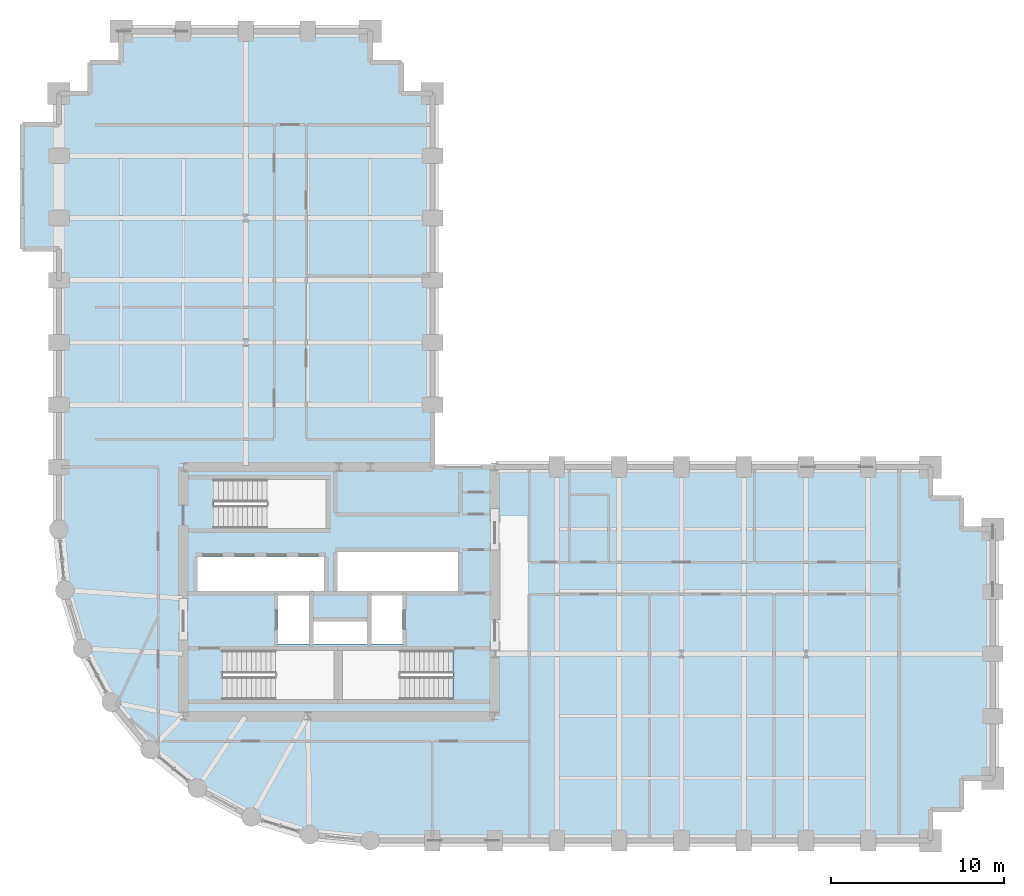
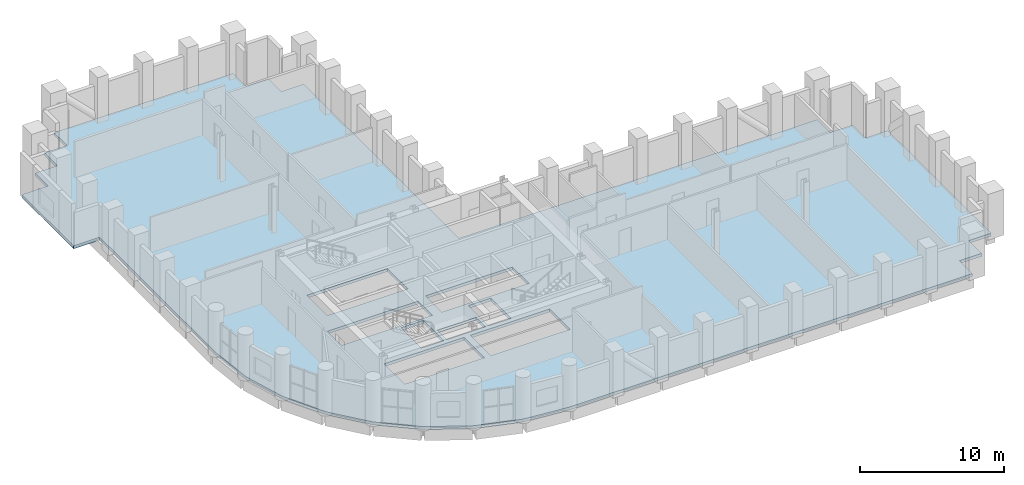
# One storey, part 8 of 13: 1 slab.
"""IFC4 building model written with IfcOpenShell, lengths in metres."""

import ifcopenshell
import ifcopenshell.guid

model = None  # the IFC model being written
_history = None  # IfcOwnerHistory: only IFC2X3 demands one
_inside = {}  # id of a spatial element -> (the spatial element, [elements in it])
_under = {}  # id of a project, library or spatial element -> (it, [spatial elements below it])
_declared = {}  # id of a project -> (the project, [libraries it declares])
_typed = {}  # id of a type object -> (the type object, [elements of that type])
_made_of = {}  # id of a material, layer set ... -> (it, [elements and type objects made of it])


def new_model(schema):
    """Start an empty IFC model of exactly this schema.

    Asked for "IFC4X3", IfcOpenShell would pick the latest addendum, in which some entities
    have other attributes; the version numbers below select the first issue.
    IFC2X3 requires an IfcOwnerHistory on every rooted entity: one is made here for all.
    """
    global model, _history
    if schema == "IFC4X3":
        model = ifcopenshell.file(schema_version=(4, 3, 0, 0))
    else:
        model = ifcopenshell.file(schema=schema)
    _inside.clear()
    _under.clear()
    _declared.clear()
    _typed.clear()
    _made_of.clear()
    _history = None
    if model.schema == "IFC2X3":
        org = make("IfcOrganization", Name="unknown")
        user = make(
            "IfcPersonAndOrganization",
            ThePerson=make("IfcPerson", FamilyName="unknown"),
            TheOrganization=org,
        )
        app = make(
            "IfcApplication",
            ApplicationDeveloper=org,
            Version="unknown",
            ApplicationFullName="unknown",
            ApplicationIdentifier="unknown",
        )
        _history = make(
            "IfcOwnerHistory",
            OwningUser=user,
            OwningApplication=app,
            ChangeAction="ADDED",
            CreationDate=0,
        )
    return model


def make(cls, **values):
    """One entity of the class cls with the attributes given. An attribute that is None is left unset."""
    return model.create_entity(
        cls, **{name: value for name, value in values.items() if value is not None}
    )


def rooted(cls, **values):
    """An entity with a GlobalId (a new one), such as an element, a storey or a relation."""
    return make(cls, GlobalId=ifcopenshell.guid.new(), OwnerHistory=_history, **values)


def si_unit(unit_type, name, prefix=None):
    """IfcSIUnit, for example si_unit("LENGTHUNIT", "METRE", prefix="MILLI")."""
    return make("IfcSIUnit", UnitType=unit_type, Prefix=prefix, Name=name)


def assignment(units):
    """IfcUnitAssignment: the units of a project."""
    return None if units is None else make("IfcUnitAssignment", Units=units)


def point(xyz):
    """IfcCartesianPoint."""
    return None if xyz is None else make("IfcCartesianPoint", Coordinates=xyz)


def direction(xyz):
    """IfcDirection."""
    return None if xyz is None else make("IfcDirection", DirectionRatios=xyz)


def frame(location, z_axis=None, x_axis=None):
    """IfcAxis2Placement3D, a coordinate frame: its origin and axes. An axis left out is left unset."""
    return make(
        "IfcAxis2Placement3D",
        Location=point(location),
        Axis=direction(z_axis),
        RefDirection=direction(x_axis),
    )


def origin():
    """The frame at (0, 0, 0) with its axes left unset."""
    return frame((0.0, 0.0, 0.0))


def place(relative_to, where):
    """IfcLocalPlacement: puts the frame where relative to a parent placement (None: the world)."""
    return make(
        "IfcLocalPlacement", PlacementRelTo=relative_to, RelativePlacement=where
    )


def context(
    kind, dimensions, precision=None, world=None, true_north=None, identifier=None
):
    """IfcGeometricRepresentationContext, for example the 3D "Model" context."""
    return make(
        "IfcGeometricRepresentationContext",
        ContextIdentifier=identifier,
        ContextType=kind,
        CoordinateSpaceDimension=dimensions,
        Precision=precision,
        WorldCoordinateSystem=world,
        TrueNorth=true_north,
    )


def subcontext(parent, identifier, kind, view, scale=None):
    """IfcGeometricRepresentationSubContext, for example "Body" below "Model"."""
    return make(
        "IfcGeometricRepresentationSubContext",
        ContextIdentifier=identifier,
        ContextType=kind,
        ParentContext=parent,
        TargetScale=scale,
        TargetView=view,
    )


def project(units=None, contexts=None):
    """IfcProject with its units and contexts."""
    return rooted(
        "IfcProject",
        Name="project",
        RepresentationContexts=contexts,
        UnitsInContext=assignment(units),
    )


def spatial(cls, under=None, at=None, **own):
    """A site, building, storey or space (cls), placed at a placement, below another one or the project."""
    s = rooted(cls, ObjectPlacement=at, **own)
    if under is not None:
        _under.setdefault(under.id(), (under, []))[1].append(s)
    return s


def polyline(points):
    """IfcPolyline through the points."""
    return make("IfcPolyline", Points=[point(p) for p in points])


def outline(outer, holes=None, kind="AREA"):
    """IfcArbitraryClosedProfileDef: a profile drawn as a closed curve; with holes, ...WithVoids."""
    if holes is None:
        return make("IfcArbitraryClosedProfileDef", ProfileType=kind, OuterCurve=outer)
    return make(
        "IfcArbitraryProfileDefWithVoids",
        ProfileType=kind,
        OuterCurve=outer,
        InnerCurves=holes,
    )


def extrude(swept, where, along, depth):
    """IfcExtrudedAreaSolid: the profile swept, set in the frame where, extruded along a direction by depth."""
    return make(
        "IfcExtrudedAreaSolid",
        SweptArea=swept,
        Position=where,
        ExtrudedDirection=direction(along),
        Depth=depth,
    )


def shape(context_of_items, identifier, shape_type, items):
    """IfcShapeRepresentation: the items that make up one representation, for example the "Body"."""
    return make(
        "IfcShapeRepresentation",
        ContextOfItems=context_of_items,
        RepresentationIdentifier=identifier,
        RepresentationType=shape_type,
        Items=items,
    )


def material(Name=None, Category=None):
    """IfcMaterial."""
    return make("IfcMaterial", Name=Name, Category=Category)


def layer(
    of_material, thickness, ventilated=None, Name=None, Category=None, Priority=None
):
    """IfcMaterialLayer: one layer of a wall or slab, of a material (None: an air gap)."""
    return make(
        "IfcMaterialLayer",
        Material=of_material,
        LayerThickness=thickness,
        IsVentilated=ventilated,
        Name=Name,
        Category=Category,
        Priority=Priority,
    )


def layer_set(layers, Name=None):
    """IfcMaterialLayerSet."""
    return make("IfcMaterialLayerSet", MaterialLayers=layers, LayerSetName=Name)


def made_of(thing, what):
    """Note that an element or type object is made of a material, layer set ...; save() writes the relation."""
    if what is not None:
        _made_of.setdefault(what.id(), (what, []))[1].append(thing)
    return thing


def type_object(cls, material=None, **own):
    """A type object (cls), such as IfcWallType, which elements share."""
    return made_of(rooted(cls, **own), material)


def element(
    cls,
    number,
    at=None,
    inside=None,
    cuts=None,
    type_object=None,
    material=None,
    context=None,
    identifier="Body",
    shape_type=None,
    held_by="IfcProductDefinitionShape",
    body=None,
    shapes=None,
    **own,
):
    """One element of the class cls, such as IfcWall. Its Tag is "e" and its number.

    at: its placement. inside: the storey or other place that contains it. cuts: it is an
    opening in that element (IfcRelVoidsElement). A single representation is given by context,
    identifier, shape_type and body (its items); several are given by shapes. held_by: the class
    of the entity that holds the representations. save() writes the other relations.
    """
    e = rooted(cls, Tag="e%d" % number, ObjectPlacement=at, **own)
    if body is not None:
        shapes = [shape(context, identifier, shape_type, body)]
    if shapes is not None:
        e.Representation = make(held_by, Representations=shapes)
    if inside is not None:
        _inside.setdefault(inside.id(), (inside, []))[1].append(e)
    if cuts is not None:
        rooted(
            "IfcRelVoidsElement", RelatingBuildingElement=cuts, RelatedOpeningElement=e
        )
    if type_object is not None:
        _typed.setdefault(type_object.id(), (type_object, []))[1].append(e)
    return made_of(e, material)


def aggregate(whole, parts):
    """IfcRelAggregates: a whole, such as a stair, and the parts it consists of."""
    return rooted("IfcRelAggregates", RelatingObject=whole, RelatedObjects=parts)


def save(model, path):
    """Write the relations noted so far, then the file.

    IfcRelAggregates (storeys below a building ...), IfcRelContainedInSpatialStructure (elements
    in a storey), IfcRelDefinesByType, IfcRelAssociatesMaterial and IfcRelDeclares: one each for
    every whole, place, type object, material and project.
    """
    for whole, parts in _under.values():
        aggregate(whole, parts)
    for where, things in _inside.values():
        rooted(
            "IfcRelContainedInSpatialStructure",
            RelatedElements=things,
            RelatingStructure=where,
        )
    for kind, things in _typed.values():
        rooted("IfcRelDefinesByType", RelatedObjects=things, RelatingType=kind)
    for what, things in _made_of.values():
        rooted("IfcRelAssociatesMaterial", RelatedObjects=things, RelatingMaterial=what)
    for by, libraries in _declared.values():
        rooted("IfcRelDeclares", RelatingContext=by, RelatedDefinitions=libraries)
    model.write(path)


model = new_model("IFC4")

# Units and contexts
model_context = context("Model", 3, precision=1e-05, world=origin(), true_north=direction((0.0, 1.0)))
body_context = subcontext(model_context, "Body", "Model", "MODEL_VIEW")
ifc_project = project(units=[si_unit("LENGTHUNIT", "METRE"), si_unit("AREAUNIT", "SQUARE_METRE"), si_unit("VOLUMEUNIT", "CUBIC_METRE"), si_unit("PLANEANGLEUNIT", "RADIAN"), si_unit("MASSUNIT", "GRAM", prefix="KILO")], contexts=[model_context])

# Site, building, storey
site_placement = place(None, origin())
site = spatial("IfcSite", under=ifc_project, at=site_placement, CompositionType="ELEMENT")
building_placement = place(site_placement, origin())
building = spatial("IfcBuilding", under=site, at=building_placement, Name="Solnavia Interchange Tower", CompositionType="ELEMENT")
storey_placement = place(building_placement, frame((0.0, 0.0, 51.300048828125)))
storey = spatial("IfcBuildingStorey", under=building, at=storey_placement, Name="L12", CompositionType="ELEMENT", Elevation=51.300048828125)

# Slab
ifc_material = material(Name="Concrete C40/50", Category="concrete")
ifc_layer = layer(ifc_material, 0.25)
ifc_layer_set = layer_set([ifc_layer], Name="Concrete C40/50")
slab_type = type_object("IfcSlabType", Name="Slab-Tower-250", PredefinedType="FLOOR", material=ifc_layer_set)
slab_placement = place(storey_placement, frame((0.0, 0.0, -0.25)))
element("IfcSlab", 1, at=slab_placement, inside=storey, type_object=slab_type, Name="SLB-L12-01 Structural floor slab", PredefinedType="FLOOR", context=body_context, shape_type="SweptSolid", body=[
    extrude(outline(polyline([(25.199951171875, 3.60009765625), (57.60009765625, 3.60009765625), (57.60009765625, 5.39990234375), (59.39990234375, 5.39990234375), (59.39990234375, 7.199951171875), (61.199951171875, 7.199951171875), (61.199951171875, 21.60009765625), (59.39990234375, 21.60009765625), (59.39990234375, 23.39990234375), (57.60009765625, 23.39990234375), (57.60009765625, 25.199951171875), (28.800048828125, 25.199951171875), (28.800048828125, 46.800048828125), (27.0, 46.800048828125), (27.0, 48.60009765625), (25.199951171875, 48.60009765625), (25.199951171875, 50.39990234375), (10.800048828125, 50.39990234375), (10.800048828125, 48.60009765625), (9.0, 48.60009765625), (9.0, 46.800048828125), (7.199951171875, 46.800048828125), (7.199951171875, 45.0), (5.10009765625, 45.0), (5.10009765625, 37.800048828125), (7.199951171875, 37.800048828125), (7.199951171875, 21.60009765625), (7.5458984375, 18.087890625), (8.570068359375, 14.7119140625), (10.23388671875, 11.60009765625), (12.471923828125, 8.8720703125), (15.199951171875, 6.634033203125), (18.31201171875, 4.969970703125), (21.68798828125, 3.946044921875), (25.199951171875, 3.60009765625)]), holes=[polyline([(16.675048828125, 11.75), (23.10009765625, 11.75), (23.10009765625, 14.590087890625), (16.675048828125, 14.590087890625), (16.675048828125, 11.75)]), polyline([(23.60009765625, 11.75), (29.97509765625, 11.75), (29.97509765625, 14.590087890625), (23.60009765625, 14.590087890625), (23.60009765625, 11.75)]), polyline([(16.175048828125, 21.64990234375), (22.64990234375, 21.64990234375), (22.64990234375, 24.489990234375), (16.175048828125, 24.489990234375), (16.175048828125, 21.64990234375)]), polyline([(19.8798828125, 14.9599609375), (21.679931640625, 14.9599609375), (21.679931640625, 17.780029296875), (19.8798828125, 17.780029296875), (19.8798828125, 14.9599609375)]), polyline([(25.280029296875, 14.9599609375), (27.080078125, 14.9599609375), (27.080078125, 17.780029296875), (25.280029296875, 17.780029296875), (25.280029296875, 14.9599609375)]), polyline([(21.919921875, 14.9599609375), (25.02001953125, 14.9599609375), (25.02001953125, 16.280029296875), (21.919921875, 16.280029296875), (21.919921875, 14.9599609375)]), polyline([(15.219970703125, 18.02001953125), (22.52001953125, 18.02001953125), (22.52001953125, 20.0), (15.219970703125, 20.0), (15.219970703125, 18.02001953125)]), polyline([(23.300048828125, 18.02001953125), (30.280029296875, 18.02001953125), (30.280029296875, 20.300048828125), (23.300048828125, 20.300048828125), (23.300048828125, 18.02001953125)])]), origin(), (0.0, 0.0, 1.0), 0.25),
])

save(model, "model.ifc")
